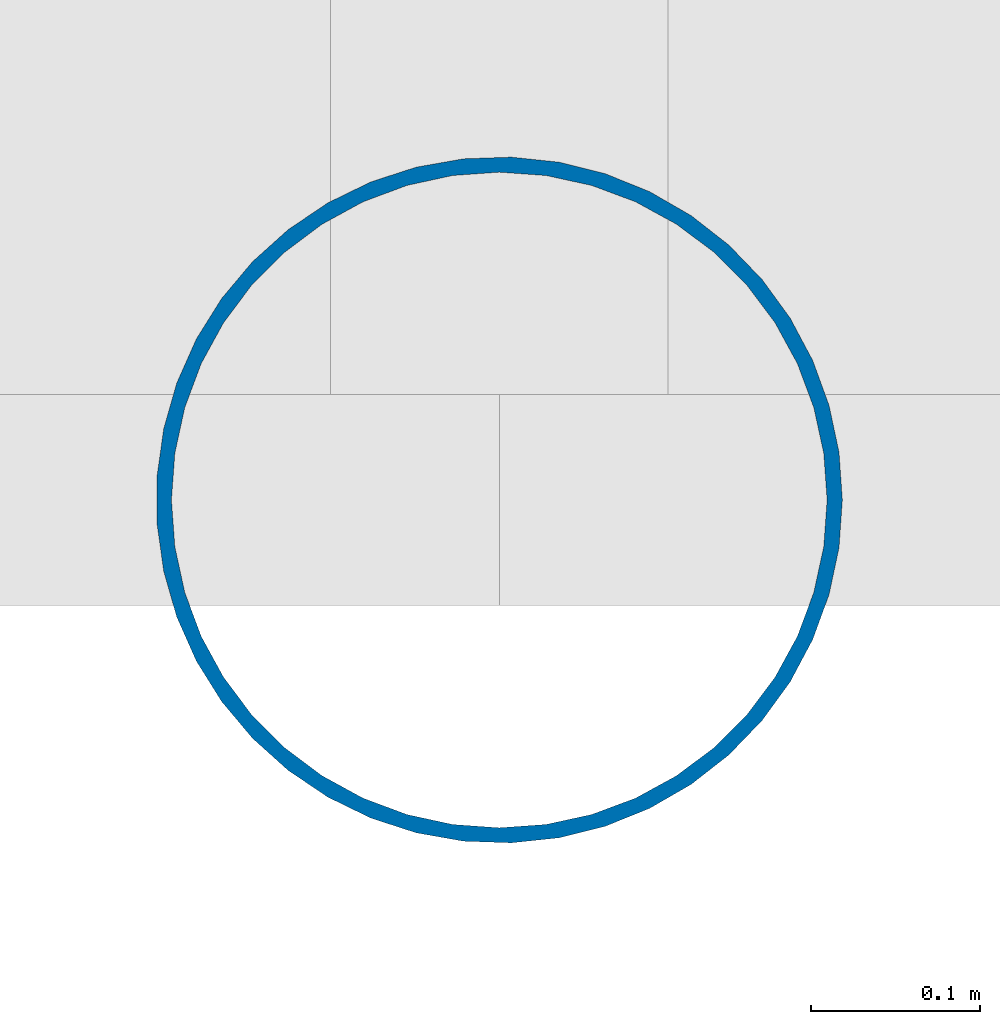
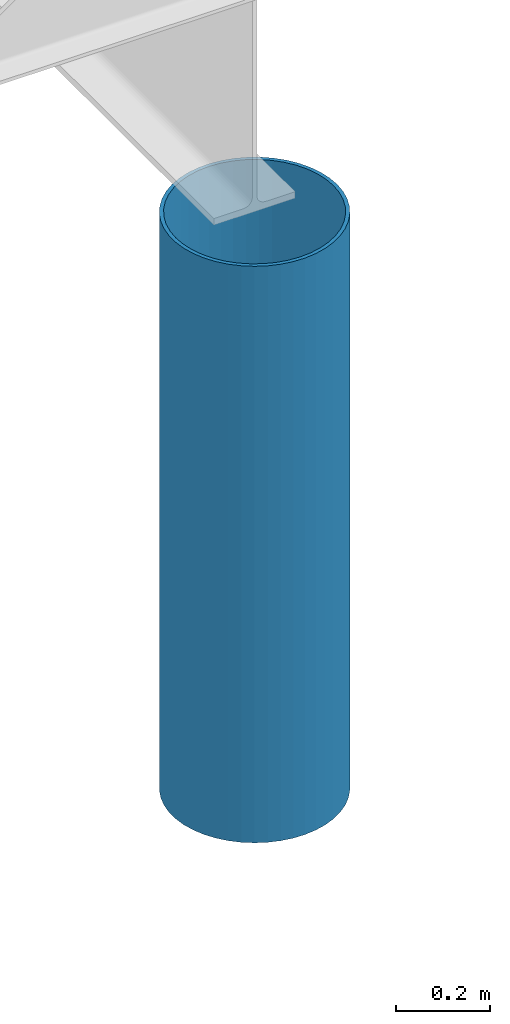
# One storey, part 3 of 162: 1 column.
"""IFC4 building model written with IfcOpenShell, lengths in metres."""

from ifc_helpers import new_model, si_unit, direction, frame, origin, origin_2d, place, context, subcontext, project, spatial, hollow_circle, extrude, material, material_profile, profile_set, type_object, element, save


model = new_model("IFC4")

# Units and contexts
model_context = context("Model", 3, precision=1e-05, world=origin(), true_north=direction((0.0, 1.0)))
body_context = subcontext(model_context, "Body", "Model", "MODEL_VIEW")
ifc_project = project(units=[si_unit("LENGTHUNIT", "METRE"), si_unit("AREAUNIT", "SQUARE_METRE"), si_unit("VOLUMEUNIT", "CUBIC_METRE"), si_unit("PLANEANGLEUNIT", "RADIAN"), si_unit("MASSUNIT", "GRAM", prefix="KILO")], contexts=[model_context])

# Site, building, storey
site_placement = place(None, origin())
site = spatial("IfcSite", under=ifc_project, at=site_placement, CompositionType="ELEMENT")
building_placement = place(site_placement, origin())
building = spatial("IfcBuilding", under=site, at=building_placement, Name="Rain Tree Exposition and Congress Centre", CompositionType="ELEMENT")
storey_placement = place(building_placement, frame((0.0, 0.0, 6.0)))
storey = spatial("IfcBuildingStorey", under=building, at=storey_placement, Name="L01", CompositionType="ELEMENT", Elevation=6.0)

# Column
ifc_material = material(Name="Steel S355J2H", Category="steel")
ifc_material_profile = material_profile(ifc_material, hollow_circle(Radius=0.203125, WallThickness=0.009033203125, at=origin_2d()), Name="CHS 406.4x9")
ifc_profile_set = profile_set([ifc_material_profile], Name="Steel S355J2H")
column_type = type_object("IfcColumnType", Name="Steel column CHS 406.4x9", PredefinedType="COLUMN", material=ifc_profile_set)
column_placement = place(storey_placement, frame((109.199951171875, 50.39990234375, 0.0), z_axis=(0.0, 0.0, 1.0), x_axis=(1.0, 0.0, 0.0)))
element("IfcColumn", 1, at=column_placement, inside=storey, type_object=column_type, Name="Rain tree column 7", PredefinedType="COLUMN", context=body_context, shape_type="SweptSolid", body=[
    extrude(hollow_circle(Radius=0.203125, WallThickness=0.009033203125, at=origin_2d()), origin(), (0.0, 0.0, 1.0), 1.5),
])

save(model, "model.ifc")
